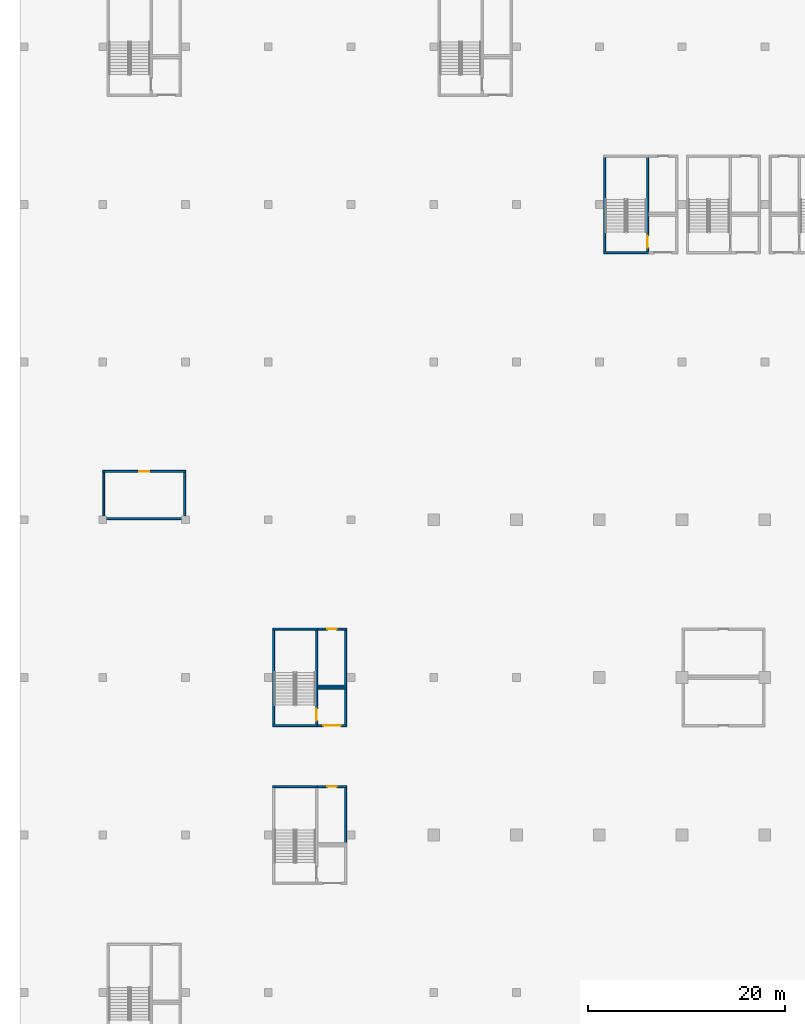
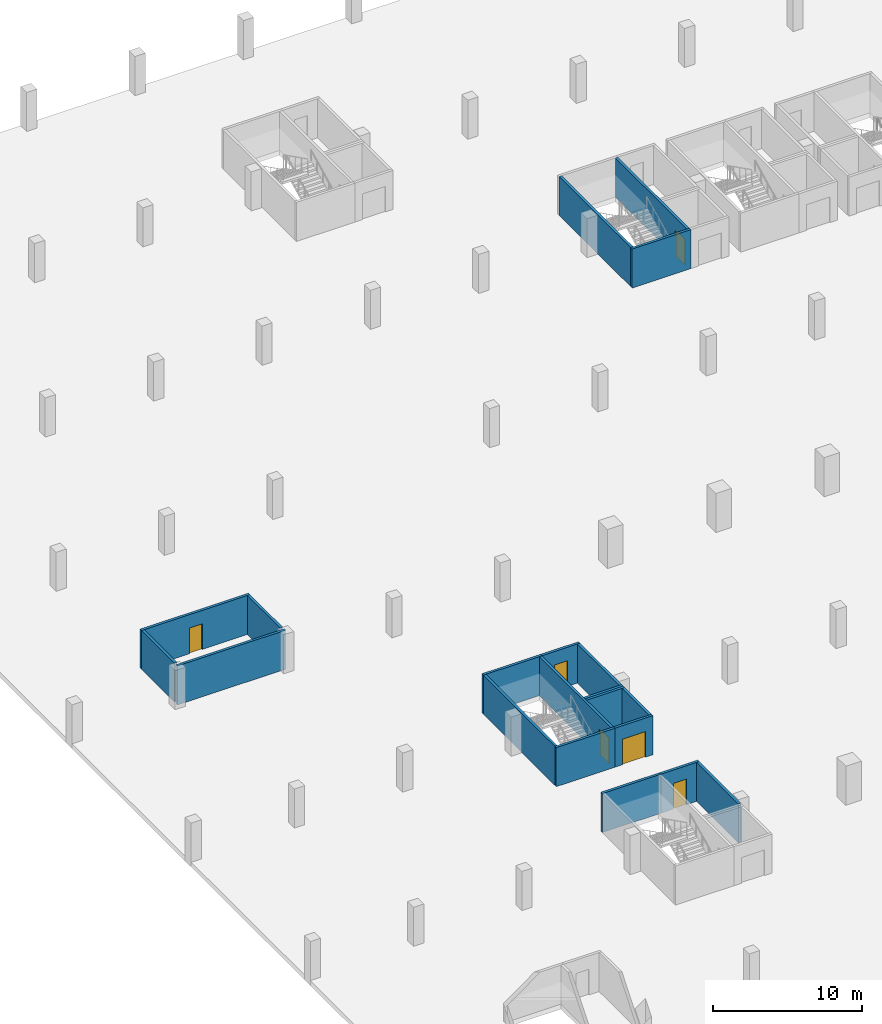
# One storey, part 8 of 37: 20 walls, 6 doors, 6 openings.
"""IFC4 building model written with IfcOpenShell, lengths in metres."""

from ifc_helpers import new_model, si_unit, direction, frame, frame_2d, origin, place, context, subcontext, project, spatial, rectangle, extrude, material, layer, layer_set, type_object, element, fill, save


model = new_model("IFC4")

# Units and contexts
model_context = context("Model", 3, precision=1e-05, world=origin(), true_north=direction((0.0, 1.0)))
body_context = subcontext(model_context, "Body", "Model", "MODEL_VIEW")
ifc_project = project(units=[si_unit("LENGTHUNIT", "METRE"), si_unit("AREAUNIT", "SQUARE_METRE"), si_unit("VOLUMEUNIT", "CUBIC_METRE"), si_unit("PLANEANGLEUNIT", "RADIAN"), si_unit("MASSUNIT", "GRAM", prefix="KILO")], contexts=[model_context])

# Site, building, storey
site_placement = place(None, origin())
site = spatial("IfcSite", under=ifc_project, at=site_placement, CompositionType="ELEMENT")
building_placement = place(site_placement, origin())
building = spatial("IfcBuilding", under=site, at=building_placement, Name="Tamra Quay Hotel Tower", CompositionType="ELEMENT")
storey_placement = place(building_placement, frame((0.0, 0.0, -7.199951171875)))
storey = spatial("IfcBuildingStorey", under=building, at=storey_placement, Name="B2", CompositionType="ELEMENT", Elevation=-7.199951171875)

# Wall
ifc_material_1 = material(Name="Blockwork", Category="masonry")
ifc_layer_1 = layer(ifc_material_1, 0.199951171875)
ifc_layer_set_1 = layer_set([ifc_layer_1], Name="Car park room wall 200")
wall_type_1 = type_object("IfcWallType", Name="Car park room wall 200", PredefinedType="PARTITIONING", material=ifc_layer_set_1)
wall_1_placement = place(storey_placement, frame((-114.300048828125, 16.10009765625, 0.0), z_axis=(0.0, 0.0, 1.0), x_axis=(1.0, 0.0, 0.0)))
element("IfcWall", 1, at=wall_1_placement, inside=storey, type_object=wall_type_1, Name="PW", PredefinedType="PARTITIONING", context=body_context, shape_type="SweptSolid", body=[
    extrude(rectangle(XDim=8.400146484375, YDim=0.199951171875, at=frame_2d((4.2001953125, 0.0))), origin(), (0.0, 0.0, 1.0), 3.199951171875),
])

# Wall, opening, door
wall_2_placement = place(storey_placement, frame((-114.300048828125, 20.89990234375, 0.0), z_axis=(0.0, 0.0, 1.0), x_axis=(1.0, 0.0, 0.0)))
wall_2 = element("IfcWall", 2, at=wall_2_placement, inside=storey, type_object=wall_type_1, Name="PW", PredefinedType="PARTITIONING", context=body_context, shape_type="SweptSolid", body=[
    extrude(rectangle(XDim=8.400146484375, YDim=0.199951171875, at=frame_2d((4.2001953125, 0.0))), origin(), (0.0, 0.0, 1.0), 3.199951171875),
])
opening_1_placement = place(wall_2_placement, frame((3.699951171875, 0.0, 0.0)))
opening_1 = element("IfcOpeningElement", 3, at=opening_1_placement, cuts=wall_2, Name="Opening PD1", PredefinedType="OPENING", context=body_context, shape_type="SweptSolid", body=[
    extrude(rectangle(XDim=1.0, YDim=2.10009765625, at=frame_2d((0.5, 1.050048828125))), frame((0.0, 0.10986328125, 0.0), z_axis=(0.0, -1.0, 0.0), x_axis=(1.0, 0.0, 0.0)), (0.0, 0.0, 1.0), 0.219970703125),
])
ifc_material_2 = material(Name="Car park door 1000 x 2100")
door_type_1 = type_object("IfcDoorType", Name="Car park door 1000 x 2100", OperationType="NOTDEFINED", PredefinedType="DOOR", material=ifc_material_2)
door_1_placement = place(opening_1_placement, origin())
door_1 = element("IfcDoor", 4, at=door_1_placement, inside=storey, type_object=door_type_1, Name="PD1", OperationType="SINGLE_SWING_LEFT", OverallHeight=2.10009765625, OverallWidth=1.0, PredefinedType="DOOR", context=body_context, shape_type="SweptSolid", body=[
    extrude(rectangle(XDim=1.0, YDim=2.10009765625, at=frame_2d((0.5, 1.050048828125))), frame((0.0, 0.02490234375, 0.0), z_axis=(0.0, -1.0, 0.0), x_axis=(1.0, 0.0, 0.0)), (0.0, 0.0, 1.0), 0.050048828125),
])
fill(opening_1, door_1)

# Walls
for number, where, z_axis, x_axis, name in (
    (5, (-114.199951171875, 16.39990234375, 0.0), (0.0, 0.0, 1.0), (0.0, 1.0, 0.0), "PW"),
    (6, (-106.0, 16.39990234375, 0.0), (0.0, 0.0, 1.0), (0.0, 1.0, 0.0), "PW"),
):
    element("IfcWall", number, at=place(storey_placement, frame(where, z_axis=z_axis, x_axis=x_axis)), inside=storey, type_object=wall_type_1, Name=name, PredefinedType="PARTITIONING", context=body_context, shape_type="SweptSolid", body=[
        extrude(rectangle(XDim=4.400146484375, YDim=0.199951171875, at=frame_2d((2.2001953125, 0.0))), origin(), (0.0, 0.0, 1.0), 3.199951171875),
    ])

# Wall, opening, door
wall_3_placement = place(storey_placement, frame((-92.5, -11.10009765625, 0.0), z_axis=(0.0, 0.0, 1.0), x_axis=(1.0, 0.0, 0.0)))
wall_3 = element("IfcWall", 7, at=wall_3_placement, inside=storey, type_object=wall_type_1, Name="PW", PredefinedType="PARTITIONING", context=body_context, shape_type="SweptSolid", body=[
    extrude(rectangle(XDim=2.949951171875, YDim=0.199951171875, at=frame_2d((1.47509765625, 0.0))), origin(), (0.0, 0.0, 1.0), 3.199951171875),
])
opening_2_placement = place(wall_3_placement, frame((0.97509765625, 0.0, 0.0)))
opening_2 = element("IfcOpeningElement", 8, at=opening_2_placement, cuts=wall_3, Name="Opening PD1", PredefinedType="OPENING", context=body_context, shape_type="SweptSolid", body=[
    extrude(rectangle(XDim=1.0, YDim=2.10009765625, at=frame_2d((0.5, 1.050048828125))), frame((0.0, 0.10986328125, 0.0), z_axis=(0.0, -1.0, 0.0), x_axis=(1.0, 0.0, 0.0)), (0.0, 0.0, 1.0), 0.219970703125),
])
door_2_placement = place(opening_2_placement, origin())
door_2 = element("IfcDoor", 9, at=door_2_placement, inside=storey, type_object=door_type_1, Name="PD1", OperationType="SINGLE_SWING_LEFT", OverallHeight=2.10009765625, OverallWidth=1.0, PredefinedType="DOOR", context=body_context, shape_type="SweptSolid", body=[
    extrude(rectangle(XDim=1.0, YDim=2.10009765625, at=frame_2d((0.5, 1.050048828125))), frame((0.0, 0.02490234375, 0.0), z_axis=(0.0, -1.0, 0.0), x_axis=(1.0, 0.0, 0.0)), (0.0, 0.0, 1.0), 0.050048828125),
])
fill(opening_2, door_2)

# Wall
wall_4_placement = place(storey_placement, frame((-89.64990234375, -16.800048828125, 0.0), z_axis=(0.0, 0.0, 1.0), x_axis=(0.0, 1.0, 0.0)))
element("IfcWall", 10, at=wall_4_placement, inside=storey, type_object=wall_type_1, Name="PW", PredefinedType="PARTITIONING", context=body_context, shape_type="SweptSolid", body=[
    extrude(rectangle(XDim=5.60009765625, YDim=0.199951171875, at=frame_2d((2.800048828125, 0.0))), origin(), (0.0, 0.0, 1.0), 3.199951171875),
])

# Wall, opening, door
wall_5_placement = place(storey_placement, frame((-92.5, -4.89990234375, 0.0), z_axis=(0.0, 0.0, 1.0), x_axis=(1.0, 0.0, 0.0)))
wall_5 = element("IfcWall", 11, at=wall_5_placement, inside=storey, type_object=wall_type_1, Name="PW", PredefinedType="PARTITIONING", context=body_context, shape_type="SweptSolid", body=[
    extrude(rectangle(XDim=2.949951171875, YDim=0.199951171875, at=frame_2d((1.47509765625, 0.0))), origin(), (0.0, 0.0, 1.0), 3.199951171875),
])
opening_3_placement = place(wall_5_placement, frame((0.574951171875, 0.0, 0.0)))
opening_3 = element("IfcOpeningElement", 12, at=opening_3_placement, cuts=wall_5, Name="Opening PD2", PredefinedType="OPENING", context=body_context, shape_type="SweptSolid", body=[
    extrude(rectangle(XDim=1.800048828125, YDim=2.10009765625, at=frame_2d((0.89990234375, 1.050048828125))), frame((0.0, 0.10986328125, 0.0), z_axis=(0.0, -1.0, 0.0), x_axis=(1.0, 0.0, 0.0)), (0.0, 0.0, 1.0), 0.219970703125),
])
ifc_material_3 = material(Name="Plant door 1800 x 2100")
door_type_2 = type_object("IfcDoorType", Name="Plant door 1800 x 2100", OperationType="DOUBLE_DOOR_SINGLE_SWING", PredefinedType="DOOR", material=ifc_material_3)
door_3_placement = place(opening_3_placement, origin())
door_3 = element("IfcDoor", 13, at=door_3_placement, inside=storey, type_object=door_type_2, Name="PD2", OperationType="DOUBLE_DOOR_SINGLE_SWING", OverallHeight=2.10009765625, OverallWidth=1.800048828125, PredefinedType="DOOR", context=body_context, shape_type="SweptSolid", body=[
    extrude(rectangle(XDim=1.800048828125, YDim=2.10009765625, at=frame_2d((0.89990234375, 1.050048828125))), frame((0.0, 0.02490234375, 0.0), z_axis=(0.0, -1.0, 0.0), x_axis=(1.0, 0.0, 0.0)), (0.0, 0.0, 1.0), 0.050048828125),
])
fill(opening_3, door_3)

# Walls
wall_6_placement = place(storey_placement, frame((-92.5, -1.10009765625, 0.0), z_axis=(0.0, 0.0, 1.0), x_axis=(1.0, 0.0, 0.0)))
element("IfcWall", 14, at=wall_6_placement, inside=storey, type_object=wall_type_1, Name="PW", PredefinedType="PARTITIONING", context=body_context, shape_type="SweptSolid", body=[
    extrude(rectangle(XDim=2.949951171875, YDim=0.199951171875, at=frame_2d((1.47509765625, 0.0))), origin(), (0.0, 0.0, 1.0), 3.199951171875),
])
wall_7_placement = place(storey_placement, frame((-89.64990234375, -4.800048828125, 0.0), z_axis=(0.0, 0.0, 1.0), x_axis=(0.0, 1.0, 0.0)))
element("IfcWall", 15, at=wall_7_placement, inside=storey, type_object=wall_type_1, Name="PW", PredefinedType="PARTITIONING", context=body_context, shape_type="SweptSolid", body=[
    extrude(rectangle(XDim=3.60009765625, YDim=0.199951171875, at=frame_2d((1.800048828125, 0.0))), origin(), (0.0, 0.0, 1.0), 3.199951171875),
])
wall_8_placement = place(storey_placement, frame((-92.5, -0.89990234375, 0.0), z_axis=(0.0, 0.0, 1.0), x_axis=(1.0, 0.0, 0.0)))
element("IfcWall", 16, at=wall_8_placement, inside=storey, type_object=wall_type_1, Name="PW", PredefinedType="PARTITIONING", context=body_context, shape_type="SweptSolid", body=[
    extrude(rectangle(XDim=2.949951171875, YDim=0.199951171875, at=frame_2d((1.47509765625, 0.0))), origin(), (0.0, 0.0, 1.0), 3.199951171875),
])

# Wall, opening, door
wall_9_placement = place(storey_placement, frame((-92.5, 4.89990234375, 0.0), z_axis=(0.0, 0.0, 1.0), x_axis=(1.0, 0.0, 0.0)))
wall_9 = element("IfcWall", 17, at=wall_9_placement, inside=storey, type_object=wall_type_1, Name="PW", PredefinedType="PARTITIONING", context=body_context, shape_type="SweptSolid", body=[
    extrude(rectangle(XDim=2.949951171875, YDim=0.199951171875, at=frame_2d((1.47509765625, 0.0))), origin(), (0.0, 0.0, 1.0), 3.199951171875),
])
opening_4_placement = place(wall_9_placement, frame((0.97509765625, 0.0, 0.0)))
opening_4 = element("IfcOpeningElement", 18, at=opening_4_placement, cuts=wall_9, Name="Opening PD1", PredefinedType="OPENING", context=body_context, shape_type="SweptSolid", body=[
    extrude(rectangle(XDim=1.0, YDim=2.10009765625, at=frame_2d((0.5, 1.050048828125))), frame((0.0, 0.10986328125, 0.0), z_axis=(0.0, -1.0, 0.0), x_axis=(1.0, 0.0, 0.0)), (0.0, 0.0, 1.0), 0.219970703125),
])
door_4_placement = place(opening_4_placement, origin())
door_4 = element("IfcDoor", 19, at=door_4_placement, inside=storey, type_object=door_type_1, Name="PD1", OperationType="SINGLE_SWING_LEFT", OverallHeight=2.10009765625, OverallWidth=1.0, PredefinedType="DOOR", context=body_context, shape_type="SweptSolid", body=[
    extrude(rectangle(XDim=1.0, YDim=2.10009765625, at=frame_2d((0.5, 1.050048828125))), frame((0.0, 0.02490234375, 0.0), z_axis=(0.0, -1.0, 0.0), x_axis=(1.0, 0.0, 0.0)), (0.0, 0.0, 1.0), 0.050048828125),
])
fill(opening_4, door_4)

# Walls
wall_10_placement = place(storey_placement, frame((-89.64990234375, -0.800048828125, 0.0), z_axis=(0.0, 0.0, 1.0), x_axis=(0.0, 1.0, 0.0)))
element("IfcWall", 20, at=wall_10_placement, inside=storey, type_object=wall_type_1, Name="PW", PredefinedType="PARTITIONING", context=body_context, shape_type="SweptSolid", body=[
    extrude(rectangle(XDim=5.60009765625, YDim=0.199951171875, at=frame_2d((2.800048828125, 0.0))), origin(), (0.0, 0.0, 1.0), 3.199951171875),
])
ifc_material_4 = material(Name="Concrete M70", Category="concrete")
ifc_layer_2 = layer(ifc_material_4, 0.199951171875)
ifc_layer_set_2 = layer_set([ifc_layer_2], Name="Concrete M70 stair enclosure wall 200")
wall_type_2 = type_object("IfcWallType", Name="Concrete M70 stair enclosure wall 200", PredefinedType="SOLIDWALL", material=ifc_layer_set_2)
wall_11_placement = place(storey_placement, frame((-97.050048828125, -11.10009765625, 0.0), z_axis=(0.0, 0.0, 1.0), x_axis=(1.0, 0.0, 0.0)))
element("IfcWall", 21, at=wall_11_placement, inside=storey, type_object=wall_type_2, Name="SEW", PredefinedType="SOLIDWALL", context=body_context, shape_type="SweptSolid", body=[
    extrude(rectangle(XDim=4.550048828125, YDim=0.199951171875, at=frame_2d((2.27490234375, 0.0))), origin(), (0.0, 0.0, 1.0), 3.199951171875),
])
wall_12_placement = place(storey_placement, frame((-96.949951171875, -4.800048828125, 0.0), z_axis=(0.0, 0.0, 1.0), x_axis=(0.0, 1.0, 0.0)))
element("IfcWall", 22, at=wall_12_placement, inside=storey, type_object=wall_type_2, Name="SEW", PredefinedType="SOLIDWALL", context=body_context, shape_type="SweptSolid", body=[
    extrude(rectangle(XDim=9.60009765625, YDim=0.199951171875, at=frame_2d((4.800048828125, 0.0))), origin(), (0.0, 0.0, 1.0), 3.199951171875),
])

# Wall, opening, door
wall_13_placement = place(storey_placement, frame((-92.60009765625, -4.800048828125, 0.0), z_axis=(0.0, 0.0, 1.0), x_axis=(0.0, 1.0, 0.0)))
wall_13 = element("IfcWall", 23, at=wall_13_placement, inside=storey, type_object=wall_type_2, Name="SEW", PredefinedType="SOLIDWALL", context=body_context, shape_type="SweptSolid", body=[
    extrude(rectangle(XDim=9.60009765625, YDim=0.199951171875, at=frame_2d((4.800048828125, 0.0))), origin(), (0.0, 0.0, 1.0), 3.199951171875),
])
opening_5_placement = place(wall_13_placement, frame((0.39990234375, 0.0, 0.0)))
opening_5 = element("IfcOpeningElement", 24, at=opening_5_placement, cuts=wall_13, Name="Opening SD1", PredefinedType="OPENING", context=body_context, shape_type="SweptSolid", body=[
    extrude(rectangle(XDim=1.199951171875, YDim=2.10009765625, at=frame_2d((0.60009765625, 1.050048828125))), frame((0.0, 0.10986328125, 0.0), z_axis=(0.0, -1.0, 0.0), x_axis=(1.0, 0.0, 0.0)), (0.0, 0.0, 1.0), 0.219970703125),
])
ifc_material_5 = material(Name="Stair door 1200 x 2100")
door_type_3 = type_object("IfcDoorType", Name="Stair door 1200 x 2100", OperationType="NOTDEFINED", PredefinedType="DOOR", material=ifc_material_5)
door_5_placement = place(opening_5_placement, origin())
door_5 = element("IfcDoor", 25, at=door_5_placement, inside=storey, type_object=door_type_3, Name="SD1", OperationType="SINGLE_SWING_LEFT", OverallHeight=2.10009765625, OverallWidth=1.199951171875, PredefinedType="DOOR", context=body_context, shape_type="SweptSolid", body=[
    extrude(rectangle(XDim=1.199951171875, YDim=2.10009765625, at=frame_2d((0.60009765625, 1.050048828125))), frame((0.0, 0.02490234375, 0.0), z_axis=(0.0, -1.0, 0.0), x_axis=(1.0, 0.0, 0.0)), (0.0, 0.0, 1.0), 0.050048828125),
])
fill(opening_5, door_5)

# Walls
for number, where, z_axis, x_axis, name in (
    (26, (-92.5, -4.89990234375, 0.0), (0.0, 0.0, 1.0), (-1.0, 0.0, 0.0), "SEW"),
    (27, (-97.050048828125, 4.89990234375, 0.0), (0.0, 0.0, 1.0), (1.0, 0.0, 0.0), "SEW"),
):
    element("IfcWall", number, at=place(storey_placement, frame(where, z_axis=z_axis, x_axis=x_axis)), inside=storey, type_object=wall_type_2, Name=name, PredefinedType="SOLIDWALL", context=body_context, shape_type="SweptSolid", body=[
        extrude(rectangle(XDim=4.550048828125, YDim=0.199951171875, at=frame_2d((2.27490234375, 0.0))), origin(), (0.0, 0.0, 1.0), 3.199951171875),
    ])
wall_14_placement = place(storey_placement, frame((-63.35009765625, 43.199951171875, 0.0), z_axis=(0.0, 0.0, 1.0), x_axis=(0.0, 1.0, 0.0)))
element("IfcWall", 28, at=wall_14_placement, inside=storey, type_object=wall_type_2, Name="SEW", PredefinedType="SOLIDWALL", context=body_context, shape_type="SweptSolid", body=[
    extrude(rectangle(XDim=9.60009765625, YDim=0.199951171875, at=frame_2d((4.800048828125, 0.0))), origin(), (0.0, 0.0, 1.0), 3.199951171875),
])

# Wall, opening, door
wall_15_placement = place(storey_placement, frame((-59.0, 43.199951171875, 0.0), z_axis=(0.0, 0.0, 1.0), x_axis=(0.0, 1.0, 0.0)))
wall_15 = element("IfcWall", 29, at=wall_15_placement, inside=storey, type_object=wall_type_2, Name="SEW", PredefinedType="SOLIDWALL", context=body_context, shape_type="SweptSolid", body=[
    extrude(rectangle(XDim=9.60009765625, YDim=0.199951171875, at=frame_2d((4.800048828125, 0.0))), origin(), (0.0, 0.0, 1.0), 3.199951171875),
])
opening_6_placement = place(wall_15_placement, frame((0.39990234375, 0.0, 0.0)))
opening_6 = element("IfcOpeningElement", 30, at=opening_6_placement, cuts=wall_15, Name="Opening SD1", PredefinedType="OPENING", context=body_context, shape_type="SweptSolid", body=[
    extrude(rectangle(XDim=1.199951171875, YDim=2.10009765625, at=frame_2d((0.60009765625, 1.050048828125))), frame((0.0, 0.10986328125, 0.0), z_axis=(0.0, -1.0, 0.0), x_axis=(1.0, 0.0, 0.0)), (0.0, 0.0, 1.0), 0.219970703125),
])
door_6_placement = place(opening_6_placement, origin())
door_6 = element("IfcDoor", 31, at=door_6_placement, inside=storey, type_object=door_type_3, Name="SD1", OperationType="SINGLE_SWING_LEFT", OverallHeight=2.10009765625, OverallWidth=1.199951171875, PredefinedType="DOOR", context=body_context, shape_type="SweptSolid", body=[
    extrude(rectangle(XDim=1.199951171875, YDim=2.10009765625, at=frame_2d((0.60009765625, 1.050048828125))), frame((0.0, 0.02490234375, 0.0), z_axis=(0.0, -1.0, 0.0), x_axis=(1.0, 0.0, 0.0)), (0.0, 0.0, 1.0), 0.050048828125),
])
fill(opening_6, door_6)

# Wall
wall_16_placement = place(storey_placement, frame((-58.89990234375, 43.10009765625, 0.0), z_axis=(0.0, 0.0, 1.0), x_axis=(-1.0, 0.0, 0.0)))
element("IfcWall", 32, at=wall_16_placement, inside=storey, type_object=wall_type_2, Name="SEW", PredefinedType="SOLIDWALL", context=body_context, shape_type="SweptSolid", body=[
    extrude(rectangle(XDim=4.550048828125, YDim=0.199951171875, at=frame_2d((2.27490234375, 0.0))), origin(), (0.0, 0.0, 1.0), 3.199951171875),
])

save(model, "model.ifc")
